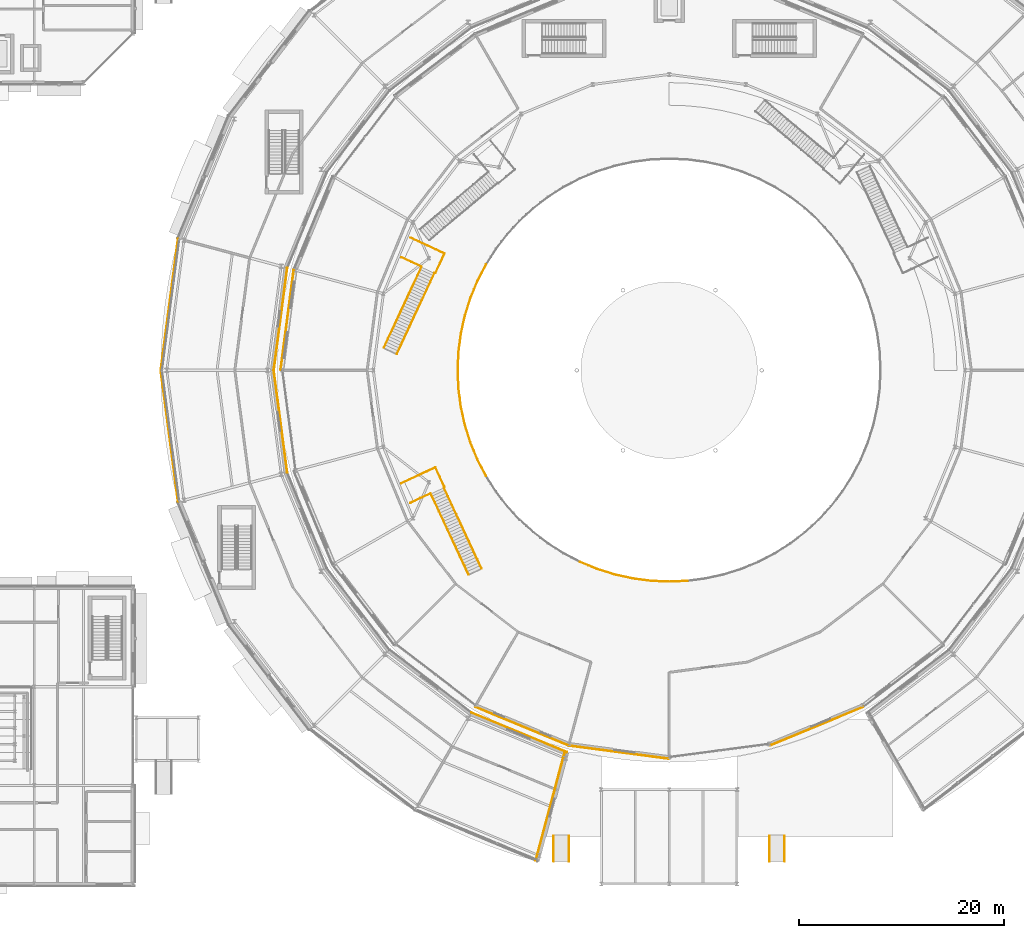
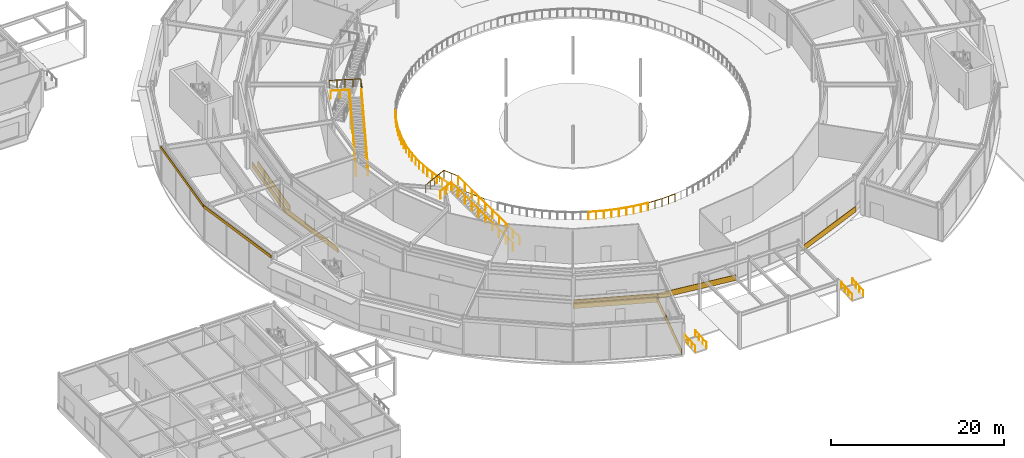
# One storey, part 146 of 168: 30 railings, 10 coverings.
"""IFC4 building model written with IfcOpenShell, lengths in metres."""

from ifc_helpers import new_model, si_unit, direction, frame, origin, origin_2d, place, context, subcontext, project, spatial, rectangle, circle, extrude, material, layer, layer_set, type_object, element, save


model = new_model("IFC4")

# Units and contexts
model_context = context("Model", 3, precision=1e-05, world=origin(), true_north=direction((0.0, 1.0)))
body_context = subcontext(model_context, "Body", "Model", "MODEL_VIEW")
ifc_project = project(units=[si_unit("LENGTHUNIT", "METRE"), si_unit("AREAUNIT", "SQUARE_METRE"), si_unit("VOLUMEUNIT", "CUBIC_METRE"), si_unit("PLANEANGLEUNIT", "RADIAN"), si_unit("MASSUNIT", "GRAM", prefix="KILO")], contexts=[model_context])

# Site, building, storey
site_placement = place(None, origin())
site = spatial("IfcSite", under=ifc_project, at=site_placement, CompositionType="ELEMENT")
building_placement = place(site_placement, origin())
building = spatial("IfcBuilding", under=site, at=building_placement, Name="Almandine Court Research Institute", CompositionType="ELEMENT")
storey_placement = place(building_placement, origin())
storey = spatial("IfcBuildingStorey", under=building, at=storey_placement, Name="L00", CompositionType="ELEMENT", Elevation=0.0)

# Coverings
ifc_material_1 = material(Name="Honed Andean Red-Buff Sandstone Cladding", Category="masonry")
ifc_layer_1 = layer(ifc_material_1, 0.06494140625)
ifc_layer_set_1 = layer_set([ifc_layer_1], Name="Honed Andean Red-Buff Sandstone Cladding")
covering_type_1 = type_object("IfcCoveringType", Name="Cov-CLAD-SAND", PredefinedType="CLADDING", material=ifc_layer_set_1)
for number, where, z_axis, x_axis, name in (
    (1, (49.172119140625, 60.97998046875, 0.02001953125), (0.0, 0.0, 1.0), (-0.13052619222, -0.991444861374, 0.0), "L00 Facade Spandrel Cladding Band 283"),
    (2, (49.172119140625, 51.02001953125, 0.02001953125), (0.0, 0.0, 1.0), (0.13052619222, -0.991444861374, 0.0), "L00 Facade Spandrel Cladding Band 285"),
    (3, (72.39892578125, 20.75, 0.02001953125), (0.0, 0.0, 1.0), (0.923879532511, -0.382683432365, 0.0), "L00 Facade Spandrel Cladding Band 293"),
):
    element("IfcCovering", number, at=place(storey_placement, frame(where, z_axis=z_axis, x_axis=x_axis)), inside=storey, type_object=covering_type_1, Name=name, PredefinedType="CLADDING", context=body_context, shape_type="SweptSolid", body=[
        extrude(rectangle(XDim=10.080078125, YDim=0.06494140625, at=origin_2d()), origin(), (0.0, 0.0, 1.0), 0.800048828125),
    ])
covering_placement = place(storey_placement, frame((75.41796875, 13.551025390625, 0.02001953125), z_axis=(0.0, 0.0, 1.0), x_axis=(0.258819045103, 0.965925826289, 0.0)))
element("IfcCovering", 4, at=covering_placement, inside=storey, type_object=covering_type_1, Name="L00 Facade Spandrel Cladding Band 295", PredefinedType="CLADDING", context=body_context, shape_type="SweptSolid", body=[
    extrude(rectangle(XDim=10.951904296875, YDim=0.06494140625, at=origin_2d()), origin(), (0.0, 0.0, 1.0), 0.800048828125),
])
for number, where, z_axis, x_axis, name in (
    (5, (49.818115234375, 60.89501953125, 0.02001953125), (0.0, 0.0, 1.0), (0.13052619222, 0.991444861374, 0.0), "L00 Facade Spandrel Cladding Band 433"),
    (6, (72.64794921875, 21.35107421875, 0.02001953125), (0.0, 0.0, 1.0), (-0.923879532511, 0.382683432365, 0.0), "L00 Facade Spandrel Cladding Band 436"),
    (7, (82.10498046875, 18.818115234375, 0.02001953125), (0.0, 0.0, 1.0), (-0.991444861374, 0.13052619222, 0.0), "L00 Facade Spandrel Cladding Band 437"),
    (8, (101.35205078125, 21.35107421875, 0.02001953125), (0.0, 0.0, 1.0), (-0.923879532511, -0.382683432365, 0.0), "L00 Facade Spandrel Cladding Band 438"),
):
    element("IfcCovering", number, at=place(storey_placement, frame(where, z_axis=z_axis, x_axis=x_axis)), inside=storey, type_object=covering_type_1, Name=name, PredefinedType="CLADDING", context=body_context, shape_type="SweptSolid", body=[
        extrude(rectangle(XDim=9.821044921875, YDim=0.06494140625, at=origin_2d()), origin(), (0.0, 0.0, 1.0), 0.800048828125),
    ])
ifc_material_2 = material(Name="Extruded Cream-Ochre Seismic Terracotta Spandrel", Category="masonry")
ifc_layer_2 = layer(ifc_material_2, 0.054931640625)
ifc_layer_set_2 = layer_set([ifc_layer_2], Name="Extruded Cream-Ochre Seismic Terracotta Spandrel")
covering_type_2 = type_object("IfcCoveringType", Name="Cov-CLAD-TERR", PredefinedType="CLADDING", material=ifc_layer_set_2)
for number, where, z_axis, x_axis, name in (
    (9, (38.361083984375, 62.404052734375, 4.679931640625), (0.0, 0.0, 1.0), (0.13052619222, 0.991444861374, 0.0), "L00 Drum Stacked Terracotta Ring Band 11"),
    (10, (38.361083984375, 49.595947265625, 4.679931640625), (0.0, 0.0, 1.0), (-0.13052619222, 0.991444861374, 0.0), "L00 Drum Stacked Terracotta Ring Band 12"),
):
    element("IfcCovering", number, at=place(storey_placement, frame(where, z_axis=z_axis, x_axis=x_axis)), inside=storey, type_object=covering_type_2, Name=name, PredefinedType="CLADDING", context=body_context, shape_type="SweptSolid", body=[
        extrude(rectangle(XDim=12.8779296875, YDim=0.054931640625, at=origin_2d()), origin(), (0.0, 0.0, 1.0), 0.419921875),
    ])

# Railings
ifc_material_3 = material(Name="Powder-Coated Steel Stair and Atrium Balustrade", Category="steel")
railing_type_1 = type_object("IfcRailingType", Name="Rail-GUARD-INT", PredefinedType="BALUSTRADE", material=ifc_material_3)
for number, where, name in (
    (11, (60.492919921875, 57.60205078125, 0.175048828125), "L00 ST-AT-04 Flight Guard IN"),
    (12, (59.22509765625, 58.194091796875, 0.175048828125), "L00 ST-AT-04 Flight Guard OUT"),
):
    element("IfcRailing", number, at=place(storey_placement, frame(where)), inside=storey, type_object=railing_type_1, Name=name, PredefinedType="BALUSTRADE", context=body_context, shape_type="SweptSolid", body=[
        extrude(circle(Radius=0.02392578125, at=origin_2d()), frame((0.0, 0.0, 1.09619140625), z_axis=(0.365065079793, 0.78285020132, 0.503858164376), x_axis=(-0.906300676307, 0.422633510415, 0.0)), (0.0, 0.0, 1.0), 10.072265625),
        extrude(circle(Radius=0.02099609375, at=origin_2d()), origin(), (0.0, 0.0, 1.0), 1.072021484375),
        extrude(circle(Radius=0.02099609375, at=origin_2d()), frame((0.408447265625, 0.876220703125, 0.56396484375)), (0.0, 0.0, 1.0), 1.072021484375),
        extrude(circle(Radius=0.02099609375, at=origin_2d()), frame((0.817138671875, 1.752197265625, 1.127685546875)), (0.0, 0.0, 1.0), 1.072021484375),
        extrude(circle(Radius=0.02099609375, at=origin_2d()), frame((1.2255859375, 2.62841796875, 1.691650390625)), (0.0, 0.0, 1.0), 1.072021484375),
        extrude(circle(Radius=0.02099609375, at=origin_2d()), frame((1.63427734375, 3.50439453125, 2.255615234375)), (0.0, 0.0, 1.0), 1.072021484375),
        extrude(circle(Radius=0.02099609375, at=origin_2d()), frame((2.042724609375, 4.380615234375, 2.8193359375)), (0.0, 0.0, 1.0), 1.072021484375),
        extrude(circle(Radius=0.02099609375, at=origin_2d()), frame((2.451416015625, 5.256591796875, 3.38330078125)), (0.0, 0.0, 1.0), 1.072021484375),
        extrude(circle(Radius=0.02099609375, at=origin_2d()), frame((2.85986328125, 6.1328125, 3.947265625)), (0.0, 0.0, 1.0), 1.072021484375),
        extrude(circle(Radius=0.02099609375, at=origin_2d()), frame((3.2685546875, 7.0087890625, 4.510986328125)), (0.0, 0.0, 1.0), 1.072021484375),
        extrude(circle(Radius=0.02099609375, at=origin_2d()), frame((3.677001953125, 7.885009765625, 5.074951171875)), (0.0, 0.0, 1.0), 1.072021484375),
    ])
railing_1_placement = place(storey_placement, frame((62.902099609375, 66.0791015625, 5.25)))
element("IfcRailing", 13, at=railing_1_placement, inside=storey, type_object=railing_type_1, Name="L00 ST-AT-04 Landing Near Return Guard", PredefinedType="BALUSTRADE", context=body_context, shape_type="SweptSolid", body=[
    extrude(circle(Radius=0.02392578125, at=origin_2d()), frame((0.0, 0.0, 1.09619140625), z_axis=(-0.906406166316, 0.422407222553, 0.0), x_axis=(-0.422407222553, -0.906406166316, 0.0)), (0.0, 0.0, 1.0), 2.18017578125),
    extrude(circle(Radius=0.02099609375, at=origin_2d()), origin(), (0.0, 0.0, 1.0), 1.072021484375),
    extrude(circle(Radius=0.02099609375, at=origin_2d()), frame((-0.988037109375, 0.46044921875, 0.0)), (0.0, 0.0, 1.0), 1.072021484375),
    extrude(circle(Radius=0.02099609375, at=origin_2d()), frame((-1.97607421875, 0.9208984375, 0.0)), (0.0, 0.0, 1.0), 1.072021484375),
])
railing_2_placement = place(storey_placement, frame((64.242919921875, 65.452880859375, 5.25)))
element("IfcRailing", 14, at=railing_2_placement, inside=storey, type_object=railing_type_1, Name="L00 ST-AT-04 Landing Outer Wrap Guard", PredefinedType="BALUSTRADE", context=body_context, shape_type="SweptSolid", body=[
    extrude(circle(Radius=0.02392578125, at=origin_2d()), frame((0.0, 0.0, 1.09619140625), z_axis=(0.422439821381, 0.906390973759, 0.0), x_axis=(-0.906390973759, 0.422439821381, 0.0)), (0.0, 0.0, 1.0), 2.099609375),
    extrude(circle(Radius=0.02392578125, at=origin_2d()), frame((0.886962890625, 1.903076171875, 1.09619140625), z_axis=(-0.906263219234, 0.422713824547, 0.0), x_axis=(-0.422713824547, -0.906263219234, 0.0)), (0.0, 0.0, 1.0), 3.659912109375),
    extrude(circle(Radius=0.02099609375, at=origin_2d()), origin(), (0.0, 0.0, 1.0), 1.072021484375),
    extrude(circle(Radius=0.02099609375, at=origin_2d()), frame((0.443359375, 0.95166015625, 0.0)), (0.0, 0.0, 1.0), 1.072021484375),
    extrude(circle(Radius=0.02099609375, at=origin_2d()), frame((0.886962890625, 1.903076171875, 0.0)), (0.0, 0.0, 1.0), 1.072021484375),
    extrude(circle(Radius=0.02099609375, at=origin_2d()), frame((0.0576171875, 2.289794921875, 0.0)), (0.0, 0.0, 1.0), 1.072021484375),
    extrude(circle(Radius=0.02099609375, at=origin_2d()), frame((-0.771484375, 2.6767578125, 0.0)), (0.0, 0.0, 1.0), 1.072021484375),
    extrude(circle(Radius=0.02099609375, at=origin_2d()), frame((-1.6005859375, 3.0634765625, 0.0)), (0.0, 0.0, 1.0), 1.072021484375),
    extrude(circle(Radius=0.02099609375, at=origin_2d()), frame((-2.429931640625, 3.4501953125, 0.0)), (0.0, 0.0, 1.0), 1.072021484375),
])
railing_3_placement = place(storey_placement, frame((68.73388671875, 36.72509765625, 0.175048828125)))
element("IfcRailing", 15, at=railing_3_placement, inside=storey, type_object=railing_type_1, Name="L00 ST-AT-05 Flight Guard IN", PredefinedType="BALUSTRADE", context=body_context, shape_type="SweptSolid", body=[
    extrude(circle(Radius=0.02392578125, at=origin_2d()), frame((0.0, 0.0, 1.09619140625), z_axis=(-0.364960029353, 0.782884834485, 0.503880454978), x_axis=(-0.906354414479, -0.422518254463, 0.0)), (0.0, 0.0, 1.0), 10.07177734375),
    extrude(circle(Radius=0.02099609375, at=origin_2d()), origin(), (0.0, 0.0, 1.0), 1.072021484375),
    extrude(circle(Radius=0.02099609375, at=origin_2d()), frame((-0.408447265625, 0.876220703125, 0.56396484375)), (0.0, 0.0, 1.0), 1.072021484375),
    extrude(circle(Radius=0.02099609375, at=origin_2d()), frame((-0.81689453125, 1.752197265625, 1.127685546875)), (0.0, 0.0, 1.0), 1.072021484375),
    extrude(circle(Radius=0.02099609375, at=origin_2d()), frame((-1.225341796875, 2.62841796875, 1.691650390625)), (0.0, 0.0, 1.0), 1.072021484375),
    extrude(circle(Radius=0.02099609375, at=origin_2d()), frame((-1.6337890625, 3.50439453125, 2.255615234375)), (0.0, 0.0, 1.0), 1.072021484375),
    extrude(circle(Radius=0.02099609375, at=origin_2d()), frame((-2.0419921875, 4.380615234375, 2.8193359375)), (0.0, 0.0, 1.0), 1.072021484375),
    extrude(circle(Radius=0.02099609375, at=origin_2d()), frame((-2.450439453125, 5.256591796875, 3.38330078125)), (0.0, 0.0, 1.0), 1.072021484375),
    extrude(circle(Radius=0.02099609375, at=origin_2d()), frame((-2.85888671875, 6.1328125, 3.947265625)), (0.0, 0.0, 1.0), 1.072021484375),
    extrude(circle(Radius=0.02099609375, at=origin_2d()), frame((-3.267333984375, 7.0087890625, 4.510986328125)), (0.0, 0.0, 1.0), 1.072021484375),
    extrude(circle(Radius=0.02099609375, at=origin_2d()), frame((-3.67578125, 7.885009765625, 5.074951171875)), (0.0, 0.0, 1.0), 1.072021484375),
])
railing_4_placement = place(storey_placement, frame((67.466064453125, 36.133056640625, 0.175048828125)))
element("IfcRailing", 16, at=railing_4_placement, inside=storey, type_object=railing_type_1, Name="L00 ST-AT-05 Flight Guard OUT", PredefinedType="BALUSTRADE", context=body_context, shape_type="SweptSolid", body=[
    extrude(circle(Radius=0.02392578125, at=origin_2d()), frame((0.0, 0.0, 1.09619140625), z_axis=(-0.365065079793, 0.78285020132, 0.503858164376), x_axis=(-0.906300676307, -0.422633510415, 0.0)), (0.0, 0.0, 1.0), 10.072265625),
    extrude(circle(Radius=0.02099609375, at=origin_2d()), origin(), (0.0, 0.0, 1.0), 1.072021484375),
    extrude(circle(Radius=0.02099609375, at=origin_2d()), frame((-0.408447265625, 0.876220703125, 0.56396484375)), (0.0, 0.0, 1.0), 1.072021484375),
    extrude(circle(Radius=0.02099609375, at=origin_2d()), frame((-0.817138671875, 1.752197265625, 1.127685546875)), (0.0, 0.0, 1.0), 1.072021484375),
    extrude(circle(Radius=0.02099609375, at=origin_2d()), frame((-1.2255859375, 2.62841796875, 1.691650390625)), (0.0, 0.0, 1.0), 1.072021484375),
    extrude(circle(Radius=0.02099609375, at=origin_2d()), frame((-1.63427734375, 3.50439453125, 2.255615234375)), (0.0, 0.0, 1.0), 1.072021484375),
    extrude(circle(Radius=0.02099609375, at=origin_2d()), frame((-2.042724609375, 4.380615234375, 2.8193359375)), (0.0, 0.0, 1.0), 1.072021484375),
    extrude(circle(Radius=0.02099609375, at=origin_2d()), frame((-2.451416015625, 5.256591796875, 3.38330078125)), (0.0, 0.0, 1.0), 1.072021484375),
    extrude(circle(Radius=0.02099609375, at=origin_2d()), frame((-2.85986328125, 6.1328125, 3.947265625)), (0.0, 0.0, 1.0), 1.072021484375),
    extrude(circle(Radius=0.02099609375, at=origin_2d()), frame((-3.2685546875, 7.0087890625, 4.510986328125)), (0.0, 0.0, 1.0), 1.072021484375),
    extrude(circle(Radius=0.02099609375, at=origin_2d()), frame((-3.677001953125, 7.885009765625, 5.074951171875)), (0.0, 0.0, 1.0), 1.072021484375),
])
railing_5_placement = place(storey_placement, frame((63.7890625, 44.01806640625, 5.25)))
element("IfcRailing", 17, at=railing_5_placement, inside=storey, type_object=railing_type_1, Name="L00 ST-AT-05 Landing Near Return Guard", PredefinedType="BALUSTRADE", context=body_context, shape_type="SweptSolid", body=[
    extrude(circle(Radius=0.02392578125, at=origin_2d()), frame((0.0, 0.0, 1.09619140625), z_axis=(-0.906363287717, -0.422499219738, 0.0), x_axis=(0.422499219738, -0.906363287717, 0.0)), (0.0, 0.0, 1.0), 2.18017578125),
    extrude(circle(Radius=0.02099609375, at=origin_2d()), origin(), (0.0, 0.0, 1.0), 1.072021484375),
    extrude(circle(Radius=0.02099609375, at=origin_2d()), frame((-0.988037109375, -0.46044921875, 0.0)), (0.0, 0.0, 1.0), 1.072021484375),
    extrude(circle(Radius=0.02099609375, at=origin_2d()), frame((-1.97607421875, -0.921142578125, 0.0)), (0.0, 0.0, 1.0), 1.072021484375),
])
railing_6_placement = place(storey_placement, frame((65.1298828125, 44.64404296875, 5.25)))
element("IfcRailing", 18, at=railing_6_placement, inside=storey, type_object=railing_type_1, Name="L00 ST-AT-05 Landing Outer Wrap Guard", PredefinedType="BALUSTRADE", context=body_context, shape_type="SweptSolid", body=[
    extrude(circle(Radius=0.02392578125, at=origin_2d()), frame((0.0, 0.0, 1.09619140625), z_axis=(-0.422439821381, 0.906390973759, 0.0), x_axis=(-0.906390973759, -0.422439821381, 0.0)), (0.0, 0.0, 1.0), 2.099609375),
    extrude(circle(Radius=0.02392578125, at=origin_2d()), frame((-0.886962890625, 1.903076171875, 1.09619140625), z_axis=(-0.906263219234, -0.422713824547, 0.0), x_axis=(0.422713824547, -0.906263219234, 0.0)), (0.0, 0.0, 1.0), 3.659912109375),
    extrude(circle(Radius=0.02099609375, at=origin_2d()), origin(), (0.0, 0.0, 1.0), 1.072021484375),
    extrude(circle(Radius=0.02099609375, at=origin_2d()), frame((-0.443359375, 0.95166015625, 0.0)), (0.0, 0.0, 1.0), 1.072021484375),
    extrude(circle(Radius=0.02099609375, at=origin_2d()), frame((-0.886962890625, 1.903076171875, 0.0)), (0.0, 0.0, 1.0), 1.072021484375),
    extrude(circle(Radius=0.02099609375, at=origin_2d()), frame((-1.71630859375, 1.516357421875, 0.0)), (0.0, 0.0, 1.0), 1.072021484375),
    extrude(circle(Radius=0.02099609375, at=origin_2d()), frame((-2.54541015625, 1.12939453125, 0.0)), (0.0, 0.0, 1.0), 1.072021484375),
    extrude(circle(Radius=0.02099609375, at=origin_2d()), frame((-3.37451171875, 0.74267578125, 0.0)), (0.0, 0.0, 1.0), 1.072021484375),
    extrude(circle(Radius=0.02099609375, at=origin_2d()), frame((-4.203857421875, 0.35595703125, 0.0)), (0.0, 0.0, 1.0), 1.072021484375),
])
railing_7_placement = place(storey_placement, frame((69.177001953125, 66.2900390625, 0.0)))
element("IfcRailing", 19, at=railing_7_placement, inside=storey, type_object=railing_type_1, Name="L00 Central Hauz Rainwater Court Balustrade 31", PredefinedType="BALUSTRADE", context=body_context, shape_type="SweptSolid", body=[
    extrude(circle(Radius=0.02392578125, at=origin_2d()), frame((0.0, 0.0, 1.09619140625), z_axis=(-0.461673738391, -0.887049806538, 0.0), x_axis=(0.887049806538, -0.461673738391, 0.0)), (0.0, 0.0, 1.0), 1.7958984375),
    extrude(circle(Radius=0.02099609375, at=origin_2d()), origin(), (0.0, 0.0, 1.0), 1.072021484375),
    extrude(circle(Radius=0.02099609375, at=origin_2d()), frame((-0.41455078125, -0.79638671875, 0.0)), (0.0, 0.0, 1.0), 1.072021484375),
    extrude(circle(Radius=0.02099609375, at=origin_2d()), frame((-0.8291015625, -1.593017578125, 0.0)), (0.0, 0.0, 1.0), 1.072021484375),
])
railing_8_placement = place(storey_placement, frame((68.347900390625, 64.697021484375, 0.0)))
element("IfcRailing", 20, at=railing_8_placement, inside=storey, type_object=railing_type_1, Name="L00 Central Hauz Rainwater Court Balustrade 32", PredefinedType="BALUSTRADE", context=body_context, shape_type="SweptSolid", body=[
    extrude(circle(Radius=0.02392578125, at=origin_2d()), frame((0.0, 0.0, 1.09619140625), z_axis=(-0.382808333433, -0.923827786903, 0.0), x_axis=(0.923827786903, -0.382808333433, 0.0)), (0.0, 0.0, 1.0), 1.794677734375),
    extrude(circle(Radius=0.02099609375, at=origin_2d()), origin(), (0.0, 0.0, 1.0), 1.072021484375),
    extrude(circle(Radius=0.02099609375, at=origin_2d()), frame((-0.343505859375, -0.8291015625, 0.0)), (0.0, 0.0, 1.0), 1.072021484375),
    extrude(circle(Radius=0.02099609375, at=origin_2d()), frame((-0.68701171875, -1.657958984375, 0.0)), (0.0, 0.0, 1.0), 1.072021484375),
])
railing_9_placement = place(storey_placement, frame((67.660888671875, 63.0390625, 0.0)))
element("IfcRailing", 21, at=railing_9_placement, inside=storey, type_object=railing_type_1, Name="L00 Central Hauz Rainwater Court Balustrade 33", PredefinedType="BALUSTRADE", context=body_context, shape_type="SweptSolid", body=[
    extrude(circle(Radius=0.02392578125, at=origin_2d()), frame((0.0, 0.0, 1.09619140625), z_axis=(-0.300526328994, -0.953773519019, 0.0), x_axis=(0.953773519019, -0.300526328994, 0.0)), (0.0, 0.0, 1.0), 1.796142578125),
    extrude(circle(Radius=0.02099609375, at=origin_2d()), origin(), (0.0, 0.0, 1.0), 1.072021484375),
    extrude(circle(Radius=0.02099609375, at=origin_2d()), frame((-0.27001953125, -0.8564453125, 0.0)), (0.0, 0.0, 1.0), 1.072021484375),
    extrude(circle(Radius=0.02099609375, at=origin_2d()), frame((-0.539794921875, -1.713134765625, 0.0)), (0.0, 0.0, 1.0), 1.072021484375),
])
railing_10_placement = place(storey_placement, frame((67.12109375, 61.325927734375, 0.0)))
element("IfcRailing", 22, at=railing_10_placement, inside=storey, type_object=railing_type_1, Name="L00 Central Hauz Rainwater Court Balustrade 34", PredefinedType="BALUSTRADE", context=body_context, shape_type="SweptSolid", body=[
    extrude(circle(Radius=0.02392578125, at=origin_2d()), frame((0.0, 0.0, 1.09619140625), z_axis=(-0.21632537736, -0.976321325748, 0.0), x_axis=(0.976321325748, -0.21632537736, 0.0)), (0.0, 0.0, 1.0), 1.79443359375),
    extrude(circle(Radius=0.02099609375, at=origin_2d()), origin(), (0.0, 0.0, 1.0), 1.072021484375),
    extrude(circle(Radius=0.02099609375, at=origin_2d()), frame((-0.194091796875, -0.8759765625, 0.0)), (0.0, 0.0, 1.0), 1.072021484375),
    extrude(circle(Radius=0.02099609375, at=origin_2d()), frame((-0.38818359375, -1.751953125, 0.0)), (0.0, 0.0, 1.0), 1.072021484375),
])
railing_11_placement = place(storey_placement, frame((66.73291015625, 59.573974609375, 0.0)))
element("IfcRailing", 23, at=railing_11_placement, inside=storey, type_object=railing_type_1, Name="L00 Central Hauz Rainwater Court Balustrade 35", PredefinedType="BALUSTRADE", context=body_context, shape_type="SweptSolid", body=[
    extrude(circle(Radius=0.02392578125, at=origin_2d()), frame((0.0, 0.0, 1.09619140625), z_axis=(-0.130809765799, -0.991407486945, 0.0), x_axis=(0.991407486945, -0.130809765799, 0.0)), (0.0, 0.0, 1.0), 1.79541015625),
    extrude(circle(Radius=0.02099609375, at=origin_2d()), origin(), (0.0, 0.0, 1.0), 1.072021484375),
    extrude(circle(Radius=0.02099609375, at=origin_2d()), frame((-0.117431640625, -0.89013671875, 0.0)), (0.0, 0.0, 1.0), 1.072021484375),
    extrude(circle(Radius=0.02099609375, at=origin_2d()), frame((-0.23486328125, -1.780029296875, 0.0)), (0.0, 0.0, 1.0), 1.072021484375),
])
railing_12_placement = place(storey_placement, frame((66.498046875, 57.7939453125, 0.0)))
element("IfcRailing", 24, at=railing_12_placement, inside=storey, type_object=railing_type_1, Name="L00 Central Hauz Rainwater Court Balustrade 36", PredefinedType="BALUSTRADE", context=body_context, shape_type="SweptSolid", body=[
    extrude(circle(Radius=0.02392578125, at=origin_2d()), frame((0.0, 0.0, 1.09619140625), z_axis=(-0.043508027325, -0.999053077448, 0.0), x_axis=(0.999053077448, -0.043508027325, 0.0)), (0.0, 0.0, 1.0), 1.795654296875),
    extrude(circle(Radius=0.02099609375, at=origin_2d()), origin(), (0.0, 0.0, 1.0), 1.072021484375),
    extrude(circle(Radius=0.02099609375, at=origin_2d()), frame((-0.0390625, -0.89697265625, 0.0)), (0.0, 0.0, 1.0), 1.072021484375),
    extrude(circle(Radius=0.02099609375, at=origin_2d()), frame((-0.078125, -1.7939453125, 0.0)), (0.0, 0.0, 1.0), 1.072021484375),
])
railing_13_placement = place(storey_placement, frame((66.419921875, 56.0, 0.0)))
element("IfcRailing", 25, at=railing_13_placement, inside=storey, type_object=railing_type_1, Name="L00 Central Hauz Rainwater Court Balustrade 37", PredefinedType="BALUSTRADE", context=body_context, shape_type="SweptSolid", body=[
    extrude(circle(Radius=0.02392578125, at=origin_2d()), frame((0.0, 0.0, 1.09619140625), z_axis=(0.043508027325, -0.999053077448, 0.0), x_axis=(0.999053077448, 0.043508027325, 0.0)), (0.0, 0.0, 1.0), 1.795654296875),
    extrude(circle(Radius=0.02099609375, at=origin_2d()), origin(), (0.0, 0.0, 1.0), 1.072021484375),
    extrude(circle(Radius=0.02099609375, at=origin_2d()), frame((0.0390625, -0.89697265625, 0.0)), (0.0, 0.0, 1.0), 1.072021484375),
    extrude(circle(Radius=0.02099609375, at=origin_2d()), frame((0.078125, -1.7939453125, 0.0)), (0.0, 0.0, 1.0), 1.072021484375),
])
railing_14_placement = place(storey_placement, frame((66.498046875, 54.2060546875, 0.0)))
element("IfcRailing", 26, at=railing_14_placement, inside=storey, type_object=railing_type_1, Name="L00 Central Hauz Rainwater Court Balustrade 38", PredefinedType="BALUSTRADE", context=body_context, shape_type="SweptSolid", body=[
    extrude(circle(Radius=0.02392578125, at=origin_2d()), frame((0.0, 0.0, 1.09619140625), z_axis=(0.130809765799, -0.991407486945, 0.0), x_axis=(0.991407486945, 0.130809765799, 0.0)), (0.0, 0.0, 1.0), 1.79541015625),
    extrude(circle(Radius=0.02099609375, at=origin_2d()), origin(), (0.0, 0.0, 1.0), 1.072021484375),
    extrude(circle(Radius=0.02099609375, at=origin_2d()), frame((0.117431640625, -0.89013671875, 0.0)), (0.0, 0.0, 1.0), 1.072021484375),
    extrude(circle(Radius=0.02099609375, at=origin_2d()), frame((0.23486328125, -1.780029296875, 0.0)), (0.0, 0.0, 1.0), 1.072021484375),
])
railing_15_placement = place(storey_placement, frame((66.73291015625, 52.426025390625, 0.0)))
element("IfcRailing", 27, at=railing_15_placement, inside=storey, type_object=railing_type_1, Name="L00 Central Hauz Rainwater Court Balustrade 39", PredefinedType="BALUSTRADE", context=body_context, shape_type="SweptSolid", body=[
    extrude(circle(Radius=0.02392578125, at=origin_2d()), frame((0.0, 0.0, 1.09619140625), z_axis=(0.21632537736, -0.976321325748, 0.0), x_axis=(0.976321325748, 0.21632537736, 0.0)), (0.0, 0.0, 1.0), 1.79443359375),
    extrude(circle(Radius=0.02099609375, at=origin_2d()), origin(), (0.0, 0.0, 1.0), 1.072021484375),
    extrude(circle(Radius=0.02099609375, at=origin_2d()), frame((0.194091796875, -0.8759765625, 0.0)), (0.0, 0.0, 1.0), 1.072021484375),
    extrude(circle(Radius=0.02099609375, at=origin_2d()), frame((0.38818359375, -1.751953125, 0.0)), (0.0, 0.0, 1.0), 1.072021484375),
])
railing_16_placement = place(storey_placement, frame((67.12109375, 50.674072265625, 0.0)))
element("IfcRailing", 28, at=railing_16_placement, inside=storey, type_object=railing_type_1, Name="L00 Central Hauz Rainwater Court Balustrade 40", PredefinedType="BALUSTRADE", context=body_context, shape_type="SweptSolid", body=[
    extrude(circle(Radius=0.02392578125, at=origin_2d()), frame((0.0, 0.0, 1.09619140625), z_axis=(0.300526328994, -0.953773519019, 0.0), x_axis=(0.953773519019, 0.300526328994, 0.0)), (0.0, 0.0, 1.0), 1.796142578125),
    extrude(circle(Radius=0.02099609375, at=origin_2d()), origin(), (0.0, 0.0, 1.0), 1.072021484375),
    extrude(circle(Radius=0.02099609375, at=origin_2d()), frame((0.27001953125, -0.8564453125, 0.0)), (0.0, 0.0, 1.0), 1.072021484375),
    extrude(circle(Radius=0.02099609375, at=origin_2d()), frame((0.539794921875, -1.713134765625, 0.0)), (0.0, 0.0, 1.0), 1.072021484375),
])
railing_17_placement = place(storey_placement, frame((67.660888671875, 48.9609375, 0.0)))
element("IfcRailing", 29, at=railing_17_placement, inside=storey, type_object=railing_type_1, Name="L00 Central Hauz Rainwater Court Balustrade 41", PredefinedType="BALUSTRADE", context=body_context, shape_type="SweptSolid", body=[
    extrude(circle(Radius=0.02392578125, at=origin_2d()), frame((0.0, 0.0, 1.09619140625), z_axis=(0.382808333433, -0.923827786903, 0.0), x_axis=(0.923827786903, 0.382808333433, 0.0)), (0.0, 0.0, 1.0), 1.794677734375),
    extrude(circle(Radius=0.02099609375, at=origin_2d()), origin(), (0.0, 0.0, 1.0), 1.072021484375),
    extrude(circle(Radius=0.02099609375, at=origin_2d()), frame((0.343505859375, -0.8291015625, 0.0)), (0.0, 0.0, 1.0), 1.072021484375),
    extrude(circle(Radius=0.02099609375, at=origin_2d()), frame((0.68701171875, -1.657958984375, 0.0)), (0.0, 0.0, 1.0), 1.072021484375),
])
railing_18_placement = place(storey_placement, frame((68.347900390625, 47.302978515625, 0.0)))
element("IfcRailing", 30, at=railing_18_placement, inside=storey, type_object=railing_type_1, Name="L00 Central Hauz Rainwater Court Balustrade 42", PredefinedType="BALUSTRADE", context=body_context, shape_type="SweptSolid", body=[
    extrude(circle(Radius=0.02392578125, at=origin_2d()), frame((0.0, 0.0, 1.09619140625), z_axis=(0.461673738391, -0.887049806538, 0.0), x_axis=(0.887049806538, 0.461673738391, 0.0)), (0.0, 0.0, 1.0), 1.7958984375),
    extrude(circle(Radius=0.02099609375, at=origin_2d()), origin(), (0.0, 0.0, 1.0), 1.072021484375),
    extrude(circle(Radius=0.02099609375, at=origin_2d()), frame((0.41455078125, -0.79638671875, 0.0)), (0.0, 0.0, 1.0), 1.072021484375),
    extrude(circle(Radius=0.02099609375, at=origin_2d()), frame((0.8291015625, -1.593017578125, 0.0)), (0.0, 0.0, 1.0), 1.072021484375),
])
railing_19_placement = place(storey_placement, frame((78.302978515625, 37.347900390625, 0.0)))
element("IfcRailing", 31, at=railing_19_placement, inside=storey, type_object=railing_type_1, Name="L00 Central Hauz Rainwater Court Balustrade 50", PredefinedType="BALUSTRADE", context=body_context, shape_type="SweptSolid", body=[
    extrude(circle(Radius=0.02392578125, at=origin_2d()), frame((0.0, 0.0, 1.09619140625), z_axis=(0.923827786903, -0.382808333433, 0.0), x_axis=(0.382808333433, 0.923827786903, 0.0)), (0.0, 0.0, 1.0), 1.794677734375),
    extrude(circle(Radius=0.02099609375, at=origin_2d()), origin(), (0.0, 0.0, 1.0), 1.072021484375),
    extrude(circle(Radius=0.02099609375, at=origin_2d()), frame((0.8291015625, -0.343505859375, 0.0)), (0.0, 0.0, 1.0), 1.072021484375),
    extrude(circle(Radius=0.02099609375, at=origin_2d()), frame((1.657958984375, -0.68701171875, 0.0)), (0.0, 0.0, 1.0), 1.072021484375),
])
railing_20_placement = place(storey_placement, frame((79.9609375, 36.660888671875, 0.0)))
element("IfcRailing", 32, at=railing_20_placement, inside=storey, type_object=railing_type_1, Name="L00 Central Hauz Rainwater Court Balustrade 51", PredefinedType="BALUSTRADE", context=body_context, shape_type="SweptSolid", body=[
    extrude(circle(Radius=0.02392578125, at=origin_2d()), frame((0.0, 0.0, 1.09619140625), z_axis=(0.953773519019, -0.300526328994, 0.0), x_axis=(0.300526328994, 0.953773519019, 0.0)), (0.0, 0.0, 1.0), 1.796142578125),
    extrude(circle(Radius=0.02099609375, at=origin_2d()), origin(), (0.0, 0.0, 1.0), 1.072021484375),
    extrude(circle(Radius=0.02099609375, at=origin_2d()), frame((0.8564453125, -0.27001953125, 0.0)), (0.0, 0.0, 1.0), 1.072021484375),
    extrude(circle(Radius=0.02099609375, at=origin_2d()), frame((1.713134765625, -0.539794921875, 0.0)), (0.0, 0.0, 1.0), 1.072021484375),
])
railing_21_placement = place(storey_placement, frame((81.674072265625, 36.12109375, 0.0)))
element("IfcRailing", 33, at=railing_21_placement, inside=storey, type_object=railing_type_1, Name="L00 Central Hauz Rainwater Court Balustrade 52", PredefinedType="BALUSTRADE", context=body_context, shape_type="SweptSolid", body=[
    extrude(circle(Radius=0.02392578125, at=origin_2d()), frame((0.0, 0.0, 1.09619140625), z_axis=(0.976321325748, -0.21632537736, 0.0), x_axis=(0.21632537736, 0.976321325748, 0.0)), (0.0, 0.0, 1.0), 1.79443359375),
    extrude(circle(Radius=0.02099609375, at=origin_2d()), origin(), (0.0, 0.0, 1.0), 1.072021484375),
    extrude(circle(Radius=0.02099609375, at=origin_2d()), frame((0.8759765625, -0.194091796875, 0.0)), (0.0, 0.0, 1.0), 1.072021484375),
    extrude(circle(Radius=0.02099609375, at=origin_2d()), frame((1.751953125, -0.38818359375, 0.0)), (0.0, 0.0, 1.0), 1.072021484375),
])
railing_22_placement = place(storey_placement, frame((83.426025390625, 35.73291015625, 0.0)))
element("IfcRailing", 34, at=railing_22_placement, inside=storey, type_object=railing_type_1, Name="L00 Central Hauz Rainwater Court Balustrade 53", PredefinedType="BALUSTRADE", context=body_context, shape_type="SweptSolid", body=[
    extrude(circle(Radius=0.02392578125, at=origin_2d()), frame((0.0, 0.0, 1.09619140625), z_axis=(0.991407486945, -0.130809765799, 0.0), x_axis=(0.130809765799, 0.991407486945, 0.0)), (0.0, 0.0, 1.0), 1.79541015625),
    extrude(circle(Radius=0.02099609375, at=origin_2d()), origin(), (0.0, 0.0, 1.0), 1.072021484375),
    extrude(circle(Radius=0.02099609375, at=origin_2d()), frame((0.89013671875, -0.117431640625, 0.0)), (0.0, 0.0, 1.0), 1.072021484375),
    extrude(circle(Radius=0.02099609375, at=origin_2d()), frame((1.780029296875, -0.23486328125, 0.0)), (0.0, 0.0, 1.0), 1.072021484375),
])
railing_23_placement = place(storey_placement, frame((85.2060546875, 35.498046875, 0.0)))
element("IfcRailing", 35, at=railing_23_placement, inside=storey, type_object=railing_type_1, Name="L00 Central Hauz Rainwater Court Balustrade 54", PredefinedType="BALUSTRADE", context=body_context, shape_type="SweptSolid", body=[
    extrude(circle(Radius=0.02392578125, at=origin_2d()), frame((0.0, 0.0, 1.09619140625), z_axis=(0.999053077448, -0.043508027325, 0.0), x_axis=(0.043508027325, 0.999053077448, 0.0)), (0.0, 0.0, 1.0), 1.795654296875),
    extrude(circle(Radius=0.02099609375, at=origin_2d()), origin(), (0.0, 0.0, 1.0), 1.072021484375),
    extrude(circle(Radius=0.02099609375, at=origin_2d()), frame((0.89697265625, -0.0390625, 0.0)), (0.0, 0.0, 1.0), 1.072021484375),
    extrude(circle(Radius=0.02099609375, at=origin_2d()), frame((1.7939453125, -0.078125, 0.0)), (0.0, 0.0, 1.0), 1.072021484375),
])
railing_24_placement = place(storey_placement, frame((87.0, 35.419921875, 0.0)))
element("IfcRailing", 36, at=railing_24_placement, inside=storey, type_object=railing_type_1, Name="L00 Central Hauz Rainwater Court Balustrade 55", PredefinedType="BALUSTRADE", context=body_context, shape_type="SweptSolid", body=[
    extrude(circle(Radius=0.02392578125, at=origin_2d()), frame((0.0, 0.0, 1.09619140625), z_axis=(0.999053077448, 0.043508027325, 0.0), x_axis=(-0.043508027325, 0.999053077448, 0.0)), (0.0, 0.0, 1.0), 1.795654296875),
    extrude(circle(Radius=0.02099609375, at=origin_2d()), origin(), (0.0, 0.0, 1.0), 1.072021484375),
    extrude(circle(Radius=0.02099609375, at=origin_2d()), frame((0.89697265625, 0.0390625, 0.0)), (0.0, 0.0, 1.0), 1.072021484375),
    extrude(circle(Radius=0.02099609375, at=origin_2d()), frame((1.7939453125, 0.078125, 0.0)), (0.0, 0.0, 1.0), 1.072021484375),
])
ifc_material_4 = material(Name="Brushed Stainless Steel Exterior Ramp Handrail", Category="steel")
railing_type_2 = type_object("IfcRailingType", Name="Rail-HAND-EXT", PredefinedType="HANDRAIL", material=ifc_material_4)
for number, where, name in (
    (37, (75.760009765625, 8.199951171875, -0.14990234375), "South Pishtaq Forecourt Accessible Ramp West Handrail L"),
    (38, (77.239990234375, 8.199951171875, -0.14990234375), "South Pishtaq Forecourt Accessible Ramp West Handrail R"),
    (39, (96.760009765625, 8.199951171875, -0.14990234375), "South Pishtaq Forecourt Accessible Ramp East Handrail L"),
    (40, (98.239990234375, 8.199951171875, -0.14990234375), "South Pishtaq Forecourt Accessible Ramp East Handrail R"),
):
    element("IfcRailing", number, at=place(storey_placement, frame(where)), inside=storey, type_object=railing_type_2, Name=name, PredefinedType="HANDRAIL", context=body_context, shape_type="SweptSolid", body=[
        extrude(circle(Radius=0.02392578125, at=origin_2d()), frame((0.0, 0.0, 0.8759765625), z_axis=(0.0, 0.998207175866, 0.059853438084), x_axis=(-1.0, 0.0, 0.0)), (0.0, 0.0, 1.0), 2.50439453125),
        extrude(circle(Radius=0.02099609375, at=origin_2d()), origin(), (0.0, 0.0, 1.0), 0.851806640625),
        extrude(circle(Radius=0.02099609375, at=origin_2d()), frame((0.0, 0.833251953125, 0.050048828125)), (0.0, 0.0, 1.0), 0.851806640625),
        extrude(circle(Radius=0.02099609375, at=origin_2d()), frame((0.0, 1.666748046875, 0.099853515625)), (0.0, 0.0, 1.0), 0.851806640625),
        extrude(circle(Radius=0.02099609375, at=origin_2d()), frame((0.0, 2.5, 0.14990234375)), (0.0, 0.0, 1.0), 0.851806640625),
    ])

save(model, "model.ifc")
